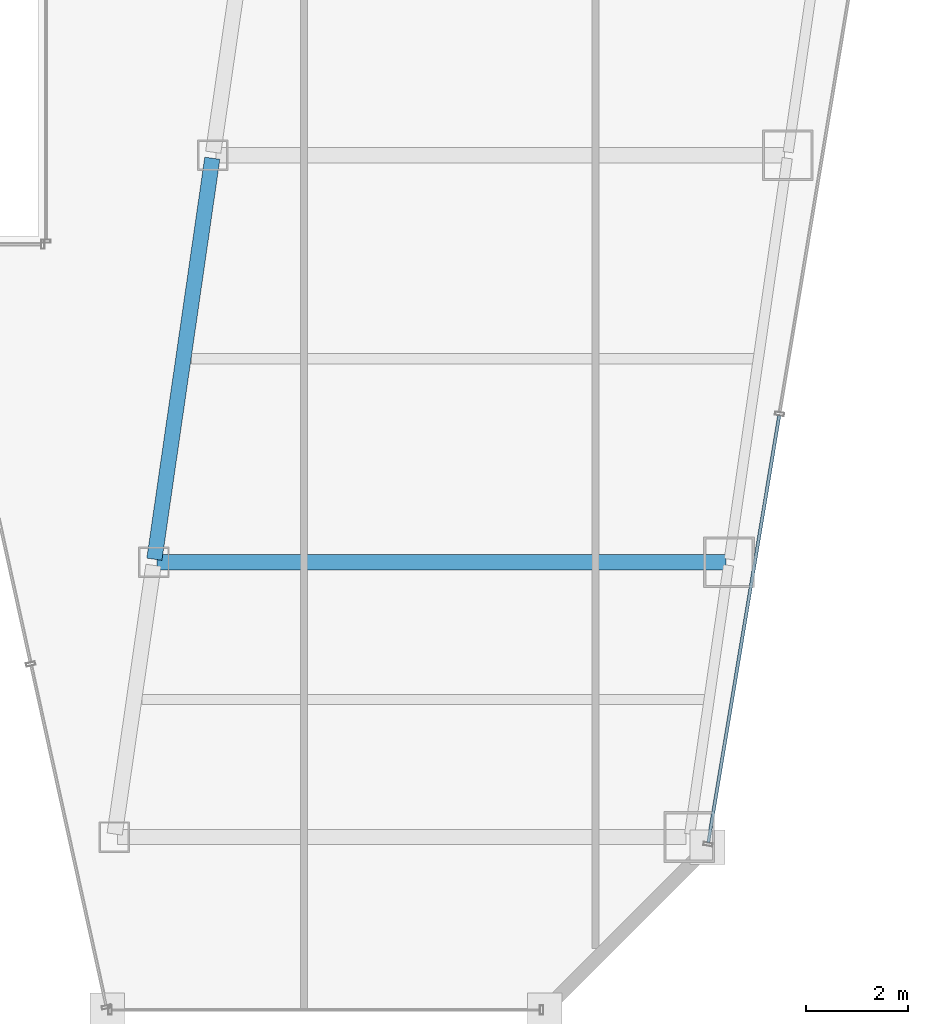
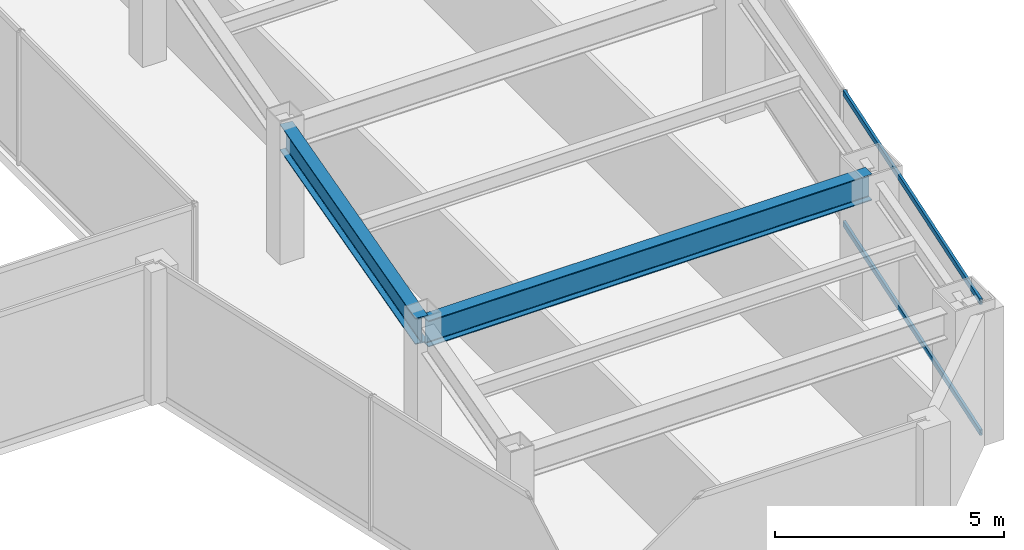
# One storey, part 19 of 40: 2 beams, 2 members, 1 element without a shape of its own.
"""IFC4 building model written with IfcOpenShell, lengths in metres."""

from ifc_helpers import new_model, si_unit, direction, frame, origin, origin_2d, place, context, subcontext, project, spatial, hollow_rectangle, i_section, extrude, material, material_profile, profile_set, type_object, element, aggregate, save


model = new_model("IFC4")

# Units and contexts
model_context = context("Model", 3, precision=1e-05, world=origin(), true_north=direction((0.0, 1.0)))
body_context = subcontext(model_context, "Body", "Model", "MODEL_VIEW")
ifc_project = project(units=[si_unit("LENGTHUNIT", "METRE"), si_unit("AREAUNIT", "SQUARE_METRE"), si_unit("VOLUMEUNIT", "CUBIC_METRE"), si_unit("PLANEANGLEUNIT", "RADIAN"), si_unit("MASSUNIT", "GRAM", prefix="KILO")], contexts=[model_context])

# Site, building, storey
site_placement = place(None, origin())
site = spatial("IfcSite", under=ifc_project, at=site_placement, CompositionType="ELEMENT")
building_placement = place(site_placement, origin())
building = spatial("IfcBuilding", under=site, at=building_placement, Name="Saevonmaru Cultural Tower", CompositionType="ELEMENT")
storey_placement = place(building_placement, frame((0.0, 0.0, 129.60009765625)))
storey = spatial("IfcBuildingStorey", under=building, at=storey_placement, Name="L27", CompositionType="ELEMENT", Elevation=129.60009765625)

# Beams
ifc_material_1 = material(Name="Steel SM355", Category="steel")
ifc_material_profile_1 = material_profile(ifc_material_1, i_section(OverallWidth=0.300048828125, OverallDepth=0.699951171875, WebThickness=0.012939453125, FlangeThickness=0.02392578125, FilletRadius=0.02587890625, at=origin_2d()), Name="H-700x300x13x24")
ifc_profile_set_1 = profile_set([ifc_material_profile_1], Name="Steel SM355")
beam_type = type_object("IfcBeamType", Name="BM-G-H700", PredefinedType="BEAM", material=ifc_profile_set_1)
beam_1_placement = place(storey_placement, frame((38.08056640625, 16.059326171875, 3.199951171875), z_axis=(0.143022161059, 0.989719486241, 0.0), x_axis=(-0.989719486241, 0.143022161059, 0.0)))
element("IfcBeam", 1, at=beam_1_placement, inside=storey, type_object=beam_type, Name="L27 East Atrium Girder 2", PredefinedType="BEAM", context=body_context, shape_type="SweptSolid", body=[
    extrude(i_section(OverallWidth=0.300048828125, OverallDepth=0.699951171875, WebThickness=0.012939453125, FlangeThickness=0.02392578125, FilletRadius=0.02587890625, at=origin_2d()), origin(), (0.0, 0.0, 1.0), 7.963134765625),
])
beam_2_placement = place(storey_placement, frame((38.132080078125, 16.0, 3.199951171875), z_axis=(1.0, 0.0, 0.0), x_axis=(0.0, 1.0, 0.0)))
element("IfcBeam", 2, at=beam_2_placement, inside=storey, type_object=beam_type, Name="L27 East Wing Transverse Girder 2", PredefinedType="BEAM", context=body_context, shape_type="SweptSolid", body=[
    extrude(i_section(OverallWidth=0.300048828125, OverallDepth=0.699951171875, WebThickness=0.012939453125, FlangeThickness=0.02392578125, FilletRadius=0.02587890625, at=origin_2d()), origin(), (0.0, 0.0, 1.0), 11.179931640625),
])

# Curtain wall, members
ifc_material_2 = material(Name="Satin Bronze Anodised Aluminium", Category="aluminium")
curtain_wall_type = type_object("IfcCurtainWallType", Name="CW-SKY-GLZ", PredefinedType="NOTDEFINED", material=ifc_material_2)
curtain_wall_placement = place(storey_placement, origin())
curtain_wall = element("IfcCurtainWall", 3, at=curtain_wall_placement, inside=storey, type_object=curtain_wall_type, Name="L27 Unitised Curtain Wall E8", PredefinedType="NOTDEFINED")
ifc_material_profile_2 = material_profile(ifc_material_2, hollow_rectangle(XDim=0.06494140625, YDim=0.14990234375, WallThickness=0.00390625, at=origin_2d()), Name="ALU-TRAN-150x65x4")
ifc_profile_set_2 = profile_set([ifc_material_profile_2], Name="Satin Bronze Anodised Aluminium")
member_type = type_object("IfcMemberType", Name="TR-CW-150x65", PredefinedType="USERDEFINED", material=ifc_profile_set_2)
member_1_placement = place(storey_placement, frame((48.96630859375, 10.4912109375, 0.032470703125), z_axis=(0.163975495344, 0.986464412398, 0.0), x_axis=(-0.986464412398, 0.163975495344, 0.0)))
member_1 = element("IfcMember", 4, at=member_1_placement, type_object=member_type, Name="CW-TW-L27-E8 transom 1.1", ObjectType="TRANSOM", PredefinedType="USERDEFINED", context=body_context, shape_type="SweptSolid", body=[
    extrude(hollow_rectangle(XDim=0.06494140625, YDim=0.14990234375, WallThickness=0.00390625, at=origin_2d()), origin(), (0.0, 0.0, 1.0), 8.507568359375),
])
member_2_placement = place(storey_placement, frame((48.96630859375, 10.4912109375, 3.517333984375), z_axis=(0.163975495344, 0.986464412398, 0.0), x_axis=(-0.986464412398, 0.163975495344, 0.0)))
member_2 = element("IfcMember", 5, at=member_2_placement, type_object=member_type, Name="CW-TW-L27-E8 transom 1.2", ObjectType="TRANSOM", PredefinedType="USERDEFINED", context=body_context, shape_type="SweptSolid", body=[
    extrude(hollow_rectangle(XDim=0.06494140625, YDim=0.14990234375, WallThickness=0.00390625, at=origin_2d()), origin(), (0.0, 0.0, 1.0), 8.507568359375),
])
aggregate(curtain_wall, [member_1, member_2])

save(model, "model.ifc")
